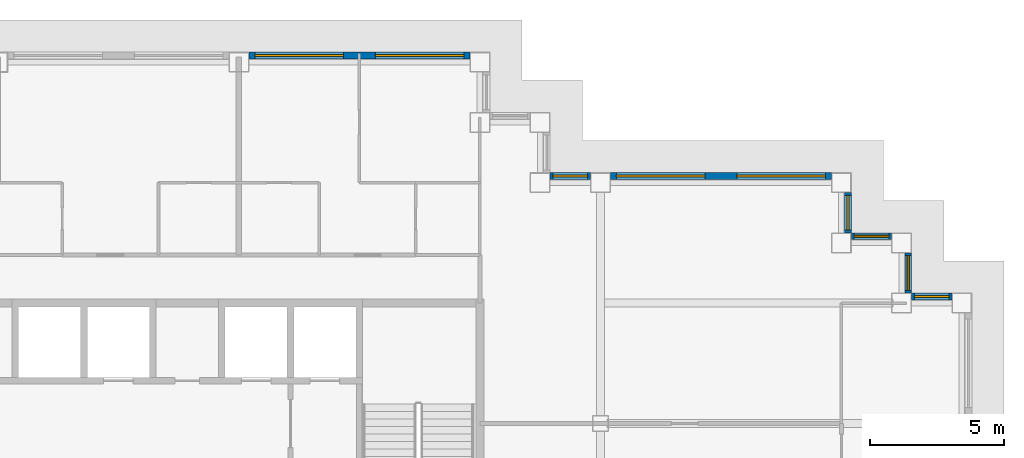
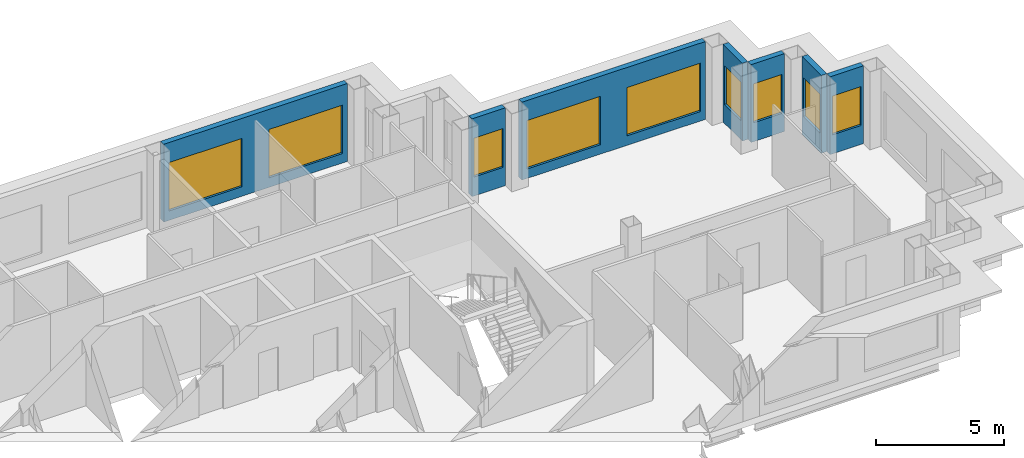
# One storey, part 9 of 13: 9 windows, 7 walls, 9 openings.
"""IFC4 building model written with IfcOpenShell, lengths in metres."""

import ifcopenshell
import ifcopenshell.guid

model = None  # the IFC model being written
_history = None  # IfcOwnerHistory: only IFC2X3 demands one
_inside = {}  # id of a spatial element -> (the spatial element, [elements in it])
_under = {}  # id of a project, library or spatial element -> (it, [spatial elements below it])
_declared = {}  # id of a project -> (the project, [libraries it declares])
_typed = {}  # id of a type object -> (the type object, [elements of that type])
_made_of = {}  # id of a material, layer set ... -> (it, [elements and type objects made of it])


def new_model(schema):
    """Start an empty IFC model of exactly this schema.

    Asked for "IFC4X3", IfcOpenShell would pick the latest addendum, in which some entities
    have other attributes; the version numbers below select the first issue.
    IFC2X3 requires an IfcOwnerHistory on every rooted entity: one is made here for all.
    """
    global model, _history
    if schema == "IFC4X3":
        model = ifcopenshell.file(schema_version=(4, 3, 0, 0))
    else:
        model = ifcopenshell.file(schema=schema)
    _inside.clear()
    _under.clear()
    _declared.clear()
    _typed.clear()
    _made_of.clear()
    _history = None
    if model.schema == "IFC2X3":
        org = make("IfcOrganization", Name="unknown")
        user = make(
            "IfcPersonAndOrganization",
            ThePerson=make("IfcPerson", FamilyName="unknown"),
            TheOrganization=org,
        )
        app = make(
            "IfcApplication",
            ApplicationDeveloper=org,
            Version="unknown",
            ApplicationFullName="unknown",
            ApplicationIdentifier="unknown",
        )
        _history = make(
            "IfcOwnerHistory",
            OwningUser=user,
            OwningApplication=app,
            ChangeAction="ADDED",
            CreationDate=0,
        )
    return model


def make(cls, **values):
    """One entity of the class cls with the attributes given. An attribute that is None is left unset."""
    return model.create_entity(
        cls, **{name: value for name, value in values.items() if value is not None}
    )


def rooted(cls, **values):
    """An entity with a GlobalId (a new one), such as an element, a storey or a relation."""
    return make(cls, GlobalId=ifcopenshell.guid.new(), OwnerHistory=_history, **values)


def si_unit(unit_type, name, prefix=None):
    """IfcSIUnit, for example si_unit("LENGTHUNIT", "METRE", prefix="MILLI")."""
    return make("IfcSIUnit", UnitType=unit_type, Prefix=prefix, Name=name)


def assignment(units):
    """IfcUnitAssignment: the units of a project."""
    return None if units is None else make("IfcUnitAssignment", Units=units)


def point(xyz):
    """IfcCartesianPoint."""
    return None if xyz is None else make("IfcCartesianPoint", Coordinates=xyz)


def direction(xyz):
    """IfcDirection."""
    return None if xyz is None else make("IfcDirection", DirectionRatios=xyz)


def frame(location, z_axis=None, x_axis=None):
    """IfcAxis2Placement3D, a coordinate frame: its origin and axes. An axis left out is left unset."""
    return make(
        "IfcAxis2Placement3D",
        Location=point(location),
        Axis=direction(z_axis),
        RefDirection=direction(x_axis),
    )


def frame_2d(location, x_axis=None):
    """IfcAxis2Placement2D, a coordinate frame in the plane: its origin and x axis."""
    return make(
        "IfcAxis2Placement2D", Location=point(location), RefDirection=direction(x_axis)
    )


def origin():
    """The frame at (0, 0, 0) with its axes left unset."""
    return frame((0.0, 0.0, 0.0))


def place(relative_to, where):
    """IfcLocalPlacement: puts the frame where relative to a parent placement (None: the world)."""
    return make(
        "IfcLocalPlacement", PlacementRelTo=relative_to, RelativePlacement=where
    )


def context(
    kind, dimensions, precision=None, world=None, true_north=None, identifier=None
):
    """IfcGeometricRepresentationContext, for example the 3D "Model" context."""
    return make(
        "IfcGeometricRepresentationContext",
        ContextIdentifier=identifier,
        ContextType=kind,
        CoordinateSpaceDimension=dimensions,
        Precision=precision,
        WorldCoordinateSystem=world,
        TrueNorth=true_north,
    )


def subcontext(parent, identifier, kind, view, scale=None):
    """IfcGeometricRepresentationSubContext, for example "Body" below "Model"."""
    return make(
        "IfcGeometricRepresentationSubContext",
        ContextIdentifier=identifier,
        ContextType=kind,
        ParentContext=parent,
        TargetScale=scale,
        TargetView=view,
    )


def project(units=None, contexts=None):
    """IfcProject with its units and contexts."""
    return rooted(
        "IfcProject",
        Name="project",
        RepresentationContexts=contexts,
        UnitsInContext=assignment(units),
    )


def spatial(cls, under=None, at=None, **own):
    """A site, building, storey or space (cls), placed at a placement, below another one or the project."""
    s = rooted(cls, ObjectPlacement=at, **own)
    if under is not None:
        _under.setdefault(under.id(), (under, []))[1].append(s)
    return s


def profile(cls, at=None, kind="AREA", **sizes):
    """A parametric profile (cls). Its sizes go by their IFC names, for example OverallWidth=200.0."""
    return make(cls, ProfileType=kind, Position=at, **sizes)


def rectangle(**sizes):
    """IfcRectangleProfileDef."""
    return profile("IfcRectangleProfileDef", **sizes)


def extrude(swept, where, along, depth):
    """IfcExtrudedAreaSolid: the profile swept, set in the frame where, extruded along a direction by depth."""
    return make(
        "IfcExtrudedAreaSolid",
        SweptArea=swept,
        Position=where,
        ExtrudedDirection=direction(along),
        Depth=depth,
    )


def shape(context_of_items, identifier, shape_type, items):
    """IfcShapeRepresentation: the items that make up one representation, for example the "Body"."""
    return make(
        "IfcShapeRepresentation",
        ContextOfItems=context_of_items,
        RepresentationIdentifier=identifier,
        RepresentationType=shape_type,
        Items=items,
    )


def material(Name=None, Category=None):
    """IfcMaterial."""
    return make("IfcMaterial", Name=Name, Category=Category)


def layer(
    of_material, thickness, ventilated=None, Name=None, Category=None, Priority=None
):
    """IfcMaterialLayer: one layer of a wall or slab, of a material (None: an air gap)."""
    return make(
        "IfcMaterialLayer",
        Material=of_material,
        LayerThickness=thickness,
        IsVentilated=ventilated,
        Name=Name,
        Category=Category,
        Priority=Priority,
    )


def layer_set(layers, Name=None):
    """IfcMaterialLayerSet."""
    return make("IfcMaterialLayerSet", MaterialLayers=layers, LayerSetName=Name)


def made_of(thing, what):
    """Note that an element or type object is made of a material, layer set ...; save() writes the relation."""
    if what is not None:
        _made_of.setdefault(what.id(), (what, []))[1].append(thing)
    return thing


def type_object(cls, material=None, **own):
    """A type object (cls), such as IfcWallType, which elements share."""
    return made_of(rooted(cls, **own), material)


def element(
    cls,
    number,
    at=None,
    inside=None,
    cuts=None,
    type_object=None,
    material=None,
    context=None,
    identifier="Body",
    shape_type=None,
    held_by="IfcProductDefinitionShape",
    body=None,
    shapes=None,
    **own,
):
    """One element of the class cls, such as IfcWall. Its Tag is "e" and its number.

    at: its placement. inside: the storey or other place that contains it. cuts: it is an
    opening in that element (IfcRelVoidsElement). A single representation is given by context,
    identifier, shape_type and body (its items); several are given by shapes. held_by: the class
    of the entity that holds the representations. save() writes the other relations.
    """
    e = rooted(cls, Tag="e%d" % number, ObjectPlacement=at, **own)
    if body is not None:
        shapes = [shape(context, identifier, shape_type, body)]
    if shapes is not None:
        e.Representation = make(held_by, Representations=shapes)
    if inside is not None:
        _inside.setdefault(inside.id(), (inside, []))[1].append(e)
    if cuts is not None:
        rooted(
            "IfcRelVoidsElement", RelatingBuildingElement=cuts, RelatedOpeningElement=e
        )
    if type_object is not None:
        _typed.setdefault(type_object.id(), (type_object, []))[1].append(e)
    return made_of(e, material)


def fill(opening, filler):
    """IfcRelFillsElement: the door or window that sits in an opening."""
    return rooted(
        "IfcRelFillsElement",
        RelatingOpeningElement=opening,
        RelatedBuildingElement=filler,
    )


def aggregate(whole, parts):
    """IfcRelAggregates: a whole, such as a stair, and the parts it consists of."""
    return rooted("IfcRelAggregates", RelatingObject=whole, RelatedObjects=parts)


def save(model, path):
    """Write the relations noted so far, then the file.

    IfcRelAggregates (storeys below a building ...), IfcRelContainedInSpatialStructure (elements
    in a storey), IfcRelDefinesByType, IfcRelAssociatesMaterial and IfcRelDeclares: one each for
    every whole, place, type object, material and project.
    """
    for whole, parts in _under.values():
        aggregate(whole, parts)
    for where, things in _inside.values():
        rooted(
            "IfcRelContainedInSpatialStructure",
            RelatedElements=things,
            RelatingStructure=where,
        )
    for kind, things in _typed.values():
        rooted("IfcRelDefinesByType", RelatedObjects=things, RelatingType=kind)
    for what, things in _made_of.values():
        rooted("IfcRelAssociatesMaterial", RelatedObjects=things, RelatingMaterial=what)
    for by, libraries in _declared.values():
        rooted("IfcRelDeclares", RelatingContext=by, RelatedDefinitions=libraries)
    model.write(path)


model = new_model("IFC4")

# Units and contexts
model_context = context("Model", 3, precision=1e-05, world=origin(), true_north=direction((0.0, 1.0)))
body_context = subcontext(model_context, "Body", "Model", "MODEL_VIEW")
ifc_project = project(units=[si_unit("LENGTHUNIT", "METRE"), si_unit("AREAUNIT", "SQUARE_METRE"), si_unit("VOLUMEUNIT", "CUBIC_METRE"), si_unit("PLANEANGLEUNIT", "RADIAN"), si_unit("MASSUNIT", "GRAM", prefix="KILO")], contexts=[model_context])

# Site, building, storey
site_placement = place(None, origin())
site = spatial("IfcSite", under=ifc_project, at=site_placement, CompositionType="ELEMENT")
building_placement = place(site_placement, origin())
building = spatial("IfcBuilding", under=site, at=building_placement, Name="Caravel Reach Hotel and Residences", CompositionType="ELEMENT")
storey_placement = place(building_placement, frame((0.0, 0.0, 180.199951171875)))
storey = spatial("IfcBuildingStorey", under=building, at=storey_placement, Name="L45", CompositionType="ELEMENT", Elevation=180.199951171875)

# Wall, opening, window
ifc_material_1 = material(Name="Insulated rainscreen wall, aluminium cladding", Category="aluminium")
ifc_layer = layer(ifc_material_1, 0.25)
ifc_layer_set = layer_set([ifc_layer], Name="EW1 Tower rainscreen wall")
wall_type = type_object("IfcWallType", Name="EW1 Tower rainscreen wall", PredefinedType="SOLIDWALL", material=ifc_layer_set)
wall_1_placement = place(storey_placement, frame((62.625, 31.75, 0.0), z_axis=(0.0, 0.0, 1.0), x_axis=(-1.0, 0.0, 0.0)))
wall_1 = element("IfcWall", 1, at=wall_1_placement, inside=storey, type_object=wall_type, Name="External wall L45 N21.1", PredefinedType="SOLIDWALL", context=body_context, shape_type="SweptSolid", body=[
    extrude(rectangle(XDim=1.5, YDim=0.25, at=frame_2d((0.75, 0.0))), origin(), (0.0, 0.0, 1.0), 3.699951171875),
])
opening_1_placement = place(wall_1_placement, frame((0.10009765625, 0.0, 0.89990234375)))
opening_1 = element("IfcOpeningElement", 2, at=opening_1_placement, cuts=wall_1, Name="Opening WN16", PredefinedType="OPENING", context=body_context, shape_type="SweptSolid", body=[
    extrude(rectangle(XDim=1.300048828125, YDim=1.85009765625, at=frame_2d((0.64990234375, 0.925048828125))), frame((0.0, 0.135009765625, 0.0), z_axis=(0.0, -1.0, 0.0), x_axis=(1.0, 0.0, 0.0)), (0.0, 0.0, 1.0), 0.27001953125),
])
ifc_material_2 = material(Name="Dark low-e glazing in black aluminium frame", Category="aluminium")
window_type_1 = type_object("IfcWindowType", Name="Residence bedroom window 1300 x 1850", PartitioningType="SINGLE_PANEL", PredefinedType="WINDOW", material=ifc_material_2)
window_1_placement = place(opening_1_placement, origin())
window_1 = element("IfcWindow", 3, at=window_1_placement, inside=storey, type_object=window_type_1, Name="Window L45 N21.1.1", OverallHeight=1.85009765625, OverallWidth=1.300048828125, PartitioningType="SINGLE_PANEL", PredefinedType="WINDOW", context=body_context, shape_type="SweptSolid", body=[
    extrude(rectangle(XDim=1.300048828125, YDim=1.85009765625, at=frame_2d((0.64990234375, 0.925048828125))), frame((0.0, 0.030029296875, 0.0), z_axis=(0.0, -1.0, 0.0), x_axis=(1.0, 0.0, 0.0)), (0.0, 0.0, 1.0), 0.06005859375),
])
fill(opening_1, window_1)

wall_2_placement = place(storey_placement, frame((61.0, 31.875, 0.0), z_axis=(0.0, 0.0, 1.0), x_axis=(0.0, 1.0, 0.0)))
wall_2 = element("IfcWall", 4, at=wall_2_placement, inside=storey, type_object=wall_type, Name="External wall L45 E22.1", PredefinedType="SOLIDWALL", context=body_context, shape_type="SweptSolid", body=[
    extrude(rectangle(XDim=1.5, YDim=0.25, at=frame_2d((0.75, 0.0))), origin(), (0.0, 0.0, 1.0), 3.699951171875),
])
opening_2_placement = place(wall_2_placement, frame((0.10009765625, 0.0, 0.89990234375)))
opening_2 = element("IfcOpeningElement", 5, at=opening_2_placement, cuts=wall_2, Name="Opening WN16", PredefinedType="OPENING", context=body_context, shape_type="SweptSolid", body=[
    extrude(rectangle(XDim=1.300048828125, YDim=1.85009765625, at=frame_2d((0.64990234375, 0.925048828125))), frame((0.0, 0.135009765625, 0.0), z_axis=(0.0, -1.0, 0.0), x_axis=(1.0, 0.0, 0.0)), (0.0, 0.0, 1.0), 0.27001953125),
])
window_2_placement = place(opening_2_placement, origin())
window_2 = element("IfcWindow", 6, at=window_2_placement, inside=storey, type_object=window_type_1, Name="Window L45 E22.1.1", OverallHeight=1.85009765625, OverallWidth=1.300048828125, PartitioningType="SINGLE_PANEL", PredefinedType="WINDOW", context=body_context, shape_type="SweptSolid", body=[
    extrude(rectangle(XDim=1.300048828125, YDim=1.85009765625, at=frame_2d((0.64990234375, 0.925048828125))), frame((0.0, 0.030029296875, 0.0), z_axis=(0.0, -1.0, 0.0), x_axis=(1.0, 0.0, 0.0)), (0.0, 0.0, 1.0), 0.06005859375),
])
fill(opening_2, window_2)

wall_3_placement = place(storey_placement, frame((60.375, 34.0, 0.0), z_axis=(0.0, 0.0, 1.0), x_axis=(-1.0, 0.0, 0.0)))
wall_3 = element("IfcWall", 7, at=wall_3_placement, inside=storey, type_object=wall_type, Name="External wall L45 N23.1", PredefinedType="SOLIDWALL", context=body_context, shape_type="SweptSolid", body=[
    extrude(rectangle(XDim=1.5, YDim=0.25, at=frame_2d((0.75, 0.0))), origin(), (0.0, 0.0, 1.0), 3.699951171875),
])
opening_3_placement = place(wall_3_placement, frame((0.10009765625, 0.0, 0.89990234375)))
opening_3 = element("IfcOpeningElement", 8, at=opening_3_placement, cuts=wall_3, Name="Opening WN16", PredefinedType="OPENING", context=body_context, shape_type="SweptSolid", body=[
    extrude(rectangle(XDim=1.300048828125, YDim=1.85009765625, at=frame_2d((0.64990234375, 0.925048828125))), frame((0.0, 0.135009765625, 0.0), z_axis=(0.0, -1.0, 0.0), x_axis=(1.0, 0.0, 0.0)), (0.0, 0.0, 1.0), 0.27001953125),
])
window_3_placement = place(opening_3_placement, origin())
window_3 = element("IfcWindow", 9, at=window_3_placement, inside=storey, type_object=window_type_1, Name="Window L45 N23.1.1", OverallHeight=1.85009765625, OverallWidth=1.300048828125, PartitioningType="SINGLE_PANEL", PredefinedType="WINDOW", context=body_context, shape_type="SweptSolid", body=[
    extrude(rectangle(XDim=1.300048828125, YDim=1.85009765625, at=frame_2d((0.64990234375, 0.925048828125))), frame((0.0, 0.030029296875, 0.0), z_axis=(0.0, -1.0, 0.0), x_axis=(1.0, 0.0, 0.0)), (0.0, 0.0, 1.0), 0.06005859375),
])
fill(opening_3, window_3)

wall_4_placement = place(storey_placement, frame((58.75, 34.125, 0.0), z_axis=(0.0, 0.0, 1.0), x_axis=(0.0, 1.0, 0.0)))
wall_4 = element("IfcWall", 10, at=wall_4_placement, inside=storey, type_object=wall_type, Name="External wall L45 E24.1", PredefinedType="SOLIDWALL", context=body_context, shape_type="SweptSolid", body=[
    extrude(rectangle(XDim=1.5, YDim=0.25, at=frame_2d((0.75, 0.0))), origin(), (0.0, 0.0, 1.0), 3.699951171875),
])
opening_4_placement = place(wall_4_placement, frame((0.10009765625, 0.0, 0.89990234375)))
opening_4 = element("IfcOpeningElement", 11, at=opening_4_placement, cuts=wall_4, Name="Opening WN16", PredefinedType="OPENING", context=body_context, shape_type="SweptSolid", body=[
    extrude(rectangle(XDim=1.300048828125, YDim=1.85009765625, at=frame_2d((0.64990234375, 0.925048828125))), frame((0.0, 0.135009765625, 0.0), z_axis=(0.0, -1.0, 0.0), x_axis=(1.0, 0.0, 0.0)), (0.0, 0.0, 1.0), 0.27001953125),
])
window_4_placement = place(opening_4_placement, origin())
window_4 = element("IfcWindow", 12, at=window_4_placement, inside=storey, type_object=window_type_1, Name="Window L45 E24.1.1", OverallHeight=1.85009765625, OverallWidth=1.300048828125, PartitioningType="SINGLE_PANEL", PredefinedType="WINDOW", context=body_context, shape_type="SweptSolid", body=[
    extrude(rectangle(XDim=1.300048828125, YDim=1.85009765625, at=frame_2d((0.64990234375, 0.925048828125))), frame((0.0, 0.030029296875, 0.0), z_axis=(0.0, -1.0, 0.0), x_axis=(1.0, 0.0, 0.0)), (0.0, 0.0, 1.0), 0.06005859375),
])
fill(opening_4, window_4)

# Wall, openings, windows
wall_5_placement = place(storey_placement, frame((58.125, 36.25, 0.0), z_axis=(0.0, 0.0, 1.0), x_axis=(-1.0, 0.0, 0.0)))
wall_5 = element("IfcWall", 13, at=wall_5_placement, inside=storey, type_object=wall_type, Name="External wall L45 N25.1", PredefinedType="SOLIDWALL", context=body_context, shape_type="SweptSolid", body=[
    extrude(rectangle(XDim=8.25, YDim=0.25, at=frame_2d((4.125, 0.0))), origin(), (0.0, 0.0, 1.0), 3.699951171875),
])
opening_5_placement = place(wall_5_placement, frame((0.22509765625, 0.0, 0.449951171875)))
opening_5 = element("IfcOpeningElement", 14, at=opening_5_placement, cuts=wall_5, Name="Opening WN15", PredefinedType="OPENING", context=body_context, shape_type="SweptSolid", body=[
    extrude(rectangle(XDim=3.300048828125, YDim=2.300048828125, at=frame_2d((1.64990234375, 1.14990234375))), frame((0.0, 0.135009765625, 0.0), z_axis=(0.0, -1.0, 0.0), x_axis=(1.0, 0.0, 0.0)), (0.0, 0.0, 1.0), 0.27001953125),
])
opening_6_placement = place(wall_5_placement, frame((4.72509765625, 0.0, 0.449951171875)))
opening_6 = element("IfcOpeningElement", 15, at=opening_6_placement, cuts=wall_5, Name="Opening WN15", PredefinedType="OPENING", context=body_context, shape_type="SweptSolid", body=[
    extrude(rectangle(XDim=3.300048828125, YDim=2.300048828125, at=frame_2d((1.64990234375, 1.14990234375))), frame((0.0, 0.135009765625, 0.0), z_axis=(0.0, -1.0, 0.0), x_axis=(1.0, 0.0, 0.0)), (0.0, 0.0, 1.0), 0.27001953125),
])
ifc_material_3 = material(Name="Dark low-e glazing in black aluminium frame", Category="aluminium")
window_type_2 = type_object("IfcWindowType", Name="Residence living window 3300 x 2300", PartitioningType="SINGLE_PANEL", PredefinedType="WINDOW", material=ifc_material_3)
window_5_placement = place(opening_5_placement, origin())
window_5 = element("IfcWindow", 16, at=window_5_placement, inside=storey, type_object=window_type_2, Name="Window L45 N25.1.1", OverallHeight=2.300048828125, OverallWidth=3.300048828125, PartitioningType="SINGLE_PANEL", PredefinedType="WINDOW", context=body_context, shape_type="SweptSolid", body=[
    extrude(rectangle(XDim=3.300048828125, YDim=2.300048828125, at=frame_2d((1.64990234375, 1.14990234375))), frame((0.0, 0.030029296875, 0.0), z_axis=(0.0, -1.0, 0.0), x_axis=(1.0, 0.0, 0.0)), (0.0, 0.0, 1.0), 0.06005859375),
])
fill(opening_5, window_5)
window_6_placement = place(opening_6_placement, origin())
window_6 = element("IfcWindow", 17, at=window_6_placement, inside=storey, type_object=window_type_2, Name="Window L45 N25.1.2", OverallHeight=2.300048828125, OverallWidth=3.300048828125, PartitioningType="SINGLE_PANEL", PredefinedType="WINDOW", context=body_context, shape_type="SweptSolid", body=[
    extrude(rectangle(XDim=3.300048828125, YDim=2.300048828125, at=frame_2d((1.64990234375, 1.14990234375))), frame((0.0, 0.030029296875, 0.0), z_axis=(0.0, -1.0, 0.0), x_axis=(1.0, 0.0, 0.0)), (0.0, 0.0, 1.0), 0.06005859375),
])
fill(opening_6, window_6)

# Wall, opening, window
wall_6_placement = place(storey_placement, frame((49.125, 36.25, 0.0), z_axis=(0.0, 0.0, 1.0), x_axis=(-1.0, 0.0, 0.0)))
wall_6 = element("IfcWall", 18, at=wall_6_placement, inside=storey, type_object=wall_type, Name="External wall L45 N25.2", PredefinedType="SOLIDWALL", context=body_context, shape_type="SweptSolid", body=[
    extrude(rectangle(XDim=1.5, YDim=0.25, at=frame_2d((0.75, 0.0))), origin(), (0.0, 0.0, 1.0), 3.699951171875),
])
opening_7_placement = place(wall_6_placement, frame((0.10009765625, 0.0, 0.89990234375)))
opening_7 = element("IfcOpeningElement", 19, at=opening_7_placement, cuts=wall_6, Name="Opening WN16", PredefinedType="OPENING", context=body_context, shape_type="SweptSolid", body=[
    extrude(rectangle(XDim=1.300048828125, YDim=1.85009765625, at=frame_2d((0.64990234375, 0.925048828125))), frame((0.0, 0.135009765625, 0.0), z_axis=(0.0, -1.0, 0.0), x_axis=(1.0, 0.0, 0.0)), (0.0, 0.0, 1.0), 0.27001953125),
])
window_7_placement = place(opening_7_placement, origin())
window_7 = element("IfcWindow", 20, at=window_7_placement, inside=storey, type_object=window_type_1, Name="Window L45 N25.2.1", OverallHeight=1.85009765625, OverallWidth=1.300048828125, PartitioningType="SINGLE_PANEL", PredefinedType="WINDOW", context=body_context, shape_type="SweptSolid", body=[
    extrude(rectangle(XDim=1.300048828125, YDim=1.85009765625, at=frame_2d((0.64990234375, 0.925048828125))), frame((0.0, 0.030029296875, 0.0), z_axis=(0.0, -1.0, 0.0), x_axis=(1.0, 0.0, 0.0)), (0.0, 0.0, 1.0), 0.06005859375),
])
fill(opening_7, window_7)

# Wall, openings, windows
wall_7_placement = place(storey_placement, frame((44.625, 40.75, 0.0), z_axis=(0.0, 0.0, 1.0), x_axis=(-1.0, 0.0, 0.0)))
wall_7 = element("IfcWall", 21, at=wall_7_placement, inside=storey, type_object=wall_type, Name="External wall L45 N29.1", PredefinedType="SOLIDWALL", context=body_context, shape_type="SweptSolid", body=[
    extrude(rectangle(XDim=8.25, YDim=0.25, at=frame_2d((4.125, 0.0))), origin(), (0.0, 0.0, 1.0), 3.699951171875),
])
opening_8_placement = place(wall_7_placement, frame((0.22509765625, 0.0, 0.449951171875)))
opening_8 = element("IfcOpeningElement", 22, at=opening_8_placement, cuts=wall_7, Name="Opening WN15", PredefinedType="OPENING", context=body_context, shape_type="SweptSolid", body=[
    extrude(rectangle(XDim=3.300048828125, YDim=2.300048828125, at=frame_2d((1.64990234375, 1.14990234375))), frame((0.0, 0.135009765625, 0.0), z_axis=(0.0, -1.0, 0.0), x_axis=(1.0, 0.0, 0.0)), (0.0, 0.0, 1.0), 0.27001953125),
])
opening_9_placement = place(wall_7_placement, frame((4.72509765625, 0.0, 0.449951171875)))
opening_9 = element("IfcOpeningElement", 23, at=opening_9_placement, cuts=wall_7, Name="Opening WN15", PredefinedType="OPENING", context=body_context, shape_type="SweptSolid", body=[
    extrude(rectangle(XDim=3.300048828125, YDim=2.300048828125, at=frame_2d((1.64990234375, 1.14990234375))), frame((0.0, 0.135009765625, 0.0), z_axis=(0.0, -1.0, 0.0), x_axis=(1.0, 0.0, 0.0)), (0.0, 0.0, 1.0), 0.27001953125),
])
window_8_placement = place(opening_8_placement, origin())
window_8 = element("IfcWindow", 24, at=window_8_placement, inside=storey, type_object=window_type_2, Name="Window L45 N29.1.1", OverallHeight=2.300048828125, OverallWidth=3.300048828125, PartitioningType="SINGLE_PANEL", PredefinedType="WINDOW", context=body_context, shape_type="SweptSolid", body=[
    extrude(rectangle(XDim=3.300048828125, YDim=2.300048828125, at=frame_2d((1.64990234375, 1.14990234375))), frame((0.0, 0.030029296875, 0.0), z_axis=(0.0, -1.0, 0.0), x_axis=(1.0, 0.0, 0.0)), (0.0, 0.0, 1.0), 0.06005859375),
])
fill(opening_8, window_8)
window_9_placement = place(opening_9_placement, origin())
window_9 = element("IfcWindow", 25, at=window_9_placement, inside=storey, type_object=window_type_2, Name="Window L45 N29.1.2", OverallHeight=2.300048828125, OverallWidth=3.300048828125, PartitioningType="SINGLE_PANEL", PredefinedType="WINDOW", context=body_context, shape_type="SweptSolid", body=[
    extrude(rectangle(XDim=3.300048828125, YDim=2.300048828125, at=frame_2d((1.64990234375, 1.14990234375))), frame((0.0, 0.030029296875, 0.0), z_axis=(0.0, -1.0, 0.0), x_axis=(1.0, 0.0, 0.0)), (0.0, 0.0, 1.0), 0.06005859375),
])
fill(opening_9, window_9)

save(model, "model.ifc")
